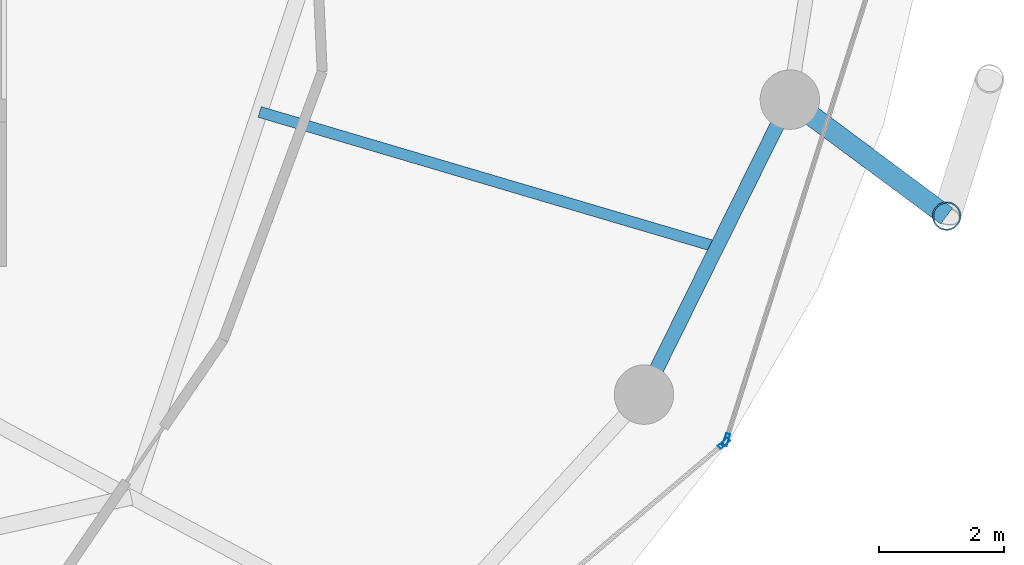
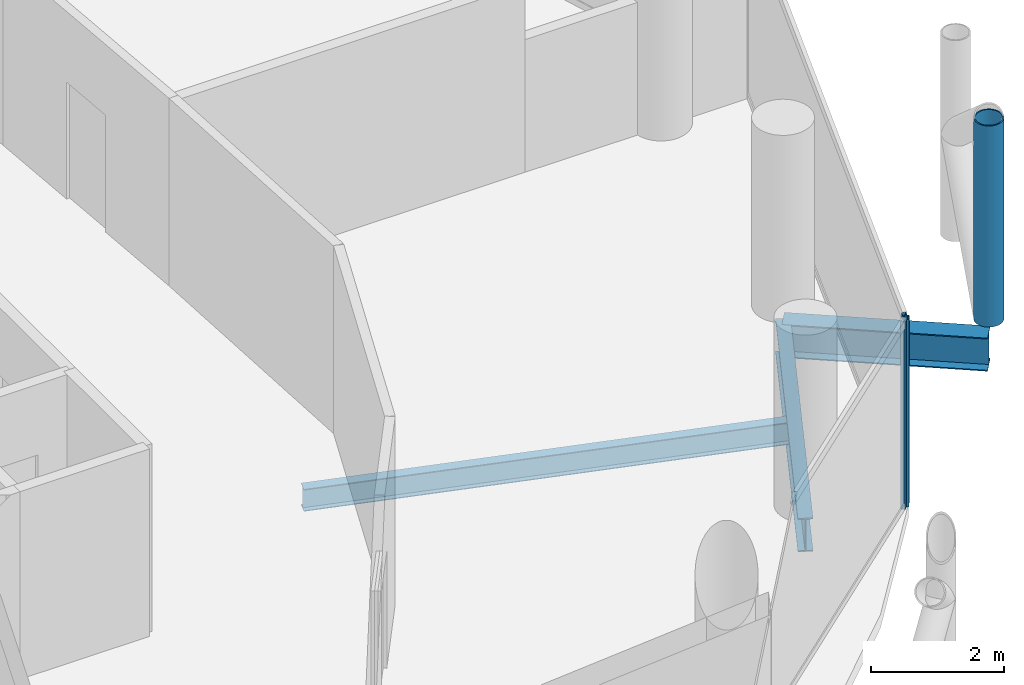
# One storey, part 10 of 26: 3 beams, 3 members, 2 elements without a shape of their own.
"""IFC4 building model written with IfcOpenShell, lengths in metres."""

from ifc_helpers import new_model, si_unit, direction, frame, origin, origin_2d, place, context, subcontext, project, spatial, hollow_rectangle, hollow_circle, i_section, extrude, material, layer, layer_set, material_profile, profile_set, type_object, element, aggregate, save


model = new_model("IFC4")

# Units and contexts
model_context = context("Model", 3, precision=1e-05, world=origin(), true_north=direction((0.0, 1.0)))
body_context = subcontext(model_context, "Body", "Model", "MODEL_VIEW")
ifc_project = project(units=[si_unit("LENGTHUNIT", "METRE"), si_unit("AREAUNIT", "SQUARE_METRE"), si_unit("VOLUMEUNIT", "CUBIC_METRE"), si_unit("PLANEANGLEUNIT", "RADIAN"), si_unit("MASSUNIT", "GRAM", prefix="KILO")], contexts=[model_context])

# Site, building, storey
site_placement = place(None, origin())
site = spatial("IfcSite", under=ifc_project, at=site_placement, CompositionType="ELEMENT")
building_placement = place(site_placement, origin())
building = spatial("IfcBuilding", under=site, at=building_placement, Name="Nuhasar Tower", CompositionType="ELEMENT")
storey_placement = place(building_placement, frame((0.0, 0.0, 188.550048828125)))
storey = spatial("IfcBuildingStorey", under=building, at=storey_placement, Name="L46", CompositionType="ELEMENT", Elevation=188.550048828125)

# Beams
ifc_material_1 = material(Name="Steel S355", Category="steel")
ifc_material_profile_1 = material_profile(ifc_material_1, i_section(OverallWidth=0.177978515625, OverallDepth=0.406005859375, WebThickness=0.0078125, FlangeThickness=0.0126953125, at=origin_2d()), Name="W16X40")
ifc_profile_set_1 = profile_set([ifc_material_profile_1], Name="Steel S355")
beam_type_1 = type_object("IfcBeamType", Name="BM-JST-W16X40", PredefinedType="JOIST", material=ifc_profile_set_1)
beam_1_placement = place(storey_placement, frame((53.0791015625, 21.54296875, -0.453125), z_axis=(0.959000494697, -0.283404395116, 0.0), x_axis=(0.283404395116, 0.959000494697, 0.0)))
element("IfcBeam", 1, at=beam_1_placement, inside=storey, type_object=beam_type_1, Name="L46 Secondary Floor Joist 03", PredefinedType="JOIST", context=body_context, shape_type="SweptSolid", body=[
    extrude(i_section(OverallWidth=0.177978515625, OverallDepth=0.406005859375, WebThickness=0.0078125, FlangeThickness=0.0126953125, at=origin_2d()), origin(), (0.0, 0.0, 1.0), 7.621337890625),
])
ifc_material_profile_2 = material_profile(ifc_material_1, i_section(OverallWidth=0.22998046875, OverallDepth=0.616943359375, WebThickness=0.01318359375, FlangeThickness=0.022216796875, at=origin_2d()), Name="W24X94")
ifc_profile_set_2 = profile_set([ifc_material_profile_2], Name="Steel S355")
beam_type_2 = type_object("IfcBeamType", Name="BM-RING-W24X94", PredefinedType="SPANDREL", material=ifc_profile_set_2)
beam_2_placement = place(storey_placement, frame((59.221923828125, 17.02490234375, -0.55810546875), z_axis=(0.443329327657, 0.896358804966, 0.0), x_axis=(-0.896358804966, 0.443329327657, 0.0)))
element("IfcBeam", 2, at=beam_2_placement, inside=storey, type_object=beam_type_2, Name="L46 Perimeter Ring Spandrel 23", PredefinedType="SPANDREL", context=body_context, shape_type="SweptSolid", body=[
    extrude(i_section(OverallWidth=0.22998046875, OverallDepth=0.616943359375, WebThickness=0.01318359375, FlangeThickness=0.022216796875, at=origin_2d()), origin(), (0.0, 0.0, 1.0), 5.26025390625),
])
ifc_material_profile_3 = material_profile(ifc_material_1, i_section(OverallWidth=0.323974609375, OverallDepth=0.611083984375, WebThickness=0.0126953125, FlangeThickness=0.01904296875, at=origin_2d()), Name="W24X104")
ifc_profile_set_3 = profile_set([ifc_material_profile_3], Name="Steel S355")
beam_type_3 = type_object("IfcBeamType", Name="BM-TIE-W24X104", PredefinedType="BEAM", material=ifc_profile_set_3)
beam_3_placement = place(storey_placement, frame((61.553955078125, 21.739990234375, -0.554931640625), z_axis=(0.80283476238, -0.596201597041, 0.0), x_axis=(0.596201597041, 0.80283476238, 0.0)))
element("IfcBeam", 3, at=beam_3_placement, inside=storey, type_object=beam_type_3, Name="L46 Exoskeleton Node Tie Beam 12", PredefinedType="BEAM", context=body_context, shape_type="SweptSolid", body=[
    extrude(i_section(OverallWidth=0.323974609375, OverallDepth=0.611083984375, WebThickness=0.0126953125, FlangeThickness=0.01904296875, at=origin_2d()), origin(), (0.0, 0.0, 1.0), 3.12158203125),
])

# Curtain wall, member
ifc_material_2 = material(Name="Aluminium 6063-T6", Category="aluminium")
ifc_layer = layer(ifc_material_2, 0.199951171875)
ifc_layer_set = layer_set([ifc_layer], Name="Aluminium 6063-T6")
curtain_wall_type = type_object("IfcCurtainWallType", Name="CW-Z2-HTL", PredefinedType="NOTDEFINED", material=ifc_layer_set)
curtain_wall_1_placement = place(storey_placement, origin())
curtain_wall_1 = element("IfcCurtainWall", 4, at=curtain_wall_1_placement, inside=storey, type_object=curtain_wall_type, Name="L46 Unitised Curtain Wall 11", PredefinedType="NOTDEFINED")
ifc_material_profile_4 = material_profile(ifc_material_2, hollow_rectangle(XDim=0.070068359375, YDim=0.199951171875, WallThickness=0.0048828125, at=origin_2d()), Name="CWM-3")
ifc_profile_set_4 = profile_set([ifc_material_profile_4], Name="Aluminium 6063-T6")
member_type_1 = type_object("IfcMemberType", Name="CW-MUL-S3", PredefinedType="MULLION", material=ifc_profile_set_4)
member_1_placement = place(storey_placement, frame((60.502197265625, 16.247314453125, 0.0), z_axis=(0.0, 0.0, 1.0), x_axis=(-0.646374438324, 0.763020370292, 0.0)))
member_1 = element("IfcMember", 5, at=member_1_placement, type_object=member_type_1, Name="CW-Z2 mullion 2", PredefinedType="MULLION", context=body_context, shape_type="SweptSolid", body=[
    extrude(hollow_rectangle(XDim=0.070068359375, YDim=0.199951171875, WallThickness=0.0048828125, at=origin_2d()), origin(), (0.0, 0.0, 1.0), 3.449951171875),
])
aggregate(curtain_wall_1, [member_1])

curtain_wall_2_placement = place(storey_placement, origin())
curtain_wall_2 = element("IfcCurtainWall", 6, at=curtain_wall_2_placement, inside=storey, type_object=curtain_wall_type, Name="L46 Unitised Curtain Wall 12", PredefinedType="NOTDEFINED")
member_2_placement = place(storey_placement, frame((60.53955078125, 16.303466796875, 0.0), z_axis=(0.0, 0.0, 1.0), x_axis=(-0.953433389233, 0.301603667577, 0.0)))
member_2 = element("IfcMember", 7, at=member_2_placement, type_object=member_type_1, Name="CW-Z2 mullion 1", PredefinedType="MULLION", context=body_context, shape_type="SweptSolid", body=[
    extrude(hollow_rectangle(XDim=0.070068359375, YDim=0.199951171875, WallThickness=0.0048828125, at=origin_2d()), origin(), (0.0, 0.0, 1.0), 3.449951171875),
])
aggregate(curtain_wall_2, [member_2])

# Member
ifc_material_3 = material(Name="Steel S460", Category="steel")
ifc_material_profile_5 = material_profile(ifc_material_3, hollow_circle(Radius=0.228515625, WallThickness=0.022216796875, at=origin_2d()), Name="HSS457X22.2")
ifc_profile_set_5 = profile_set([ifc_material_profile_5], Name="Steel S460")
member_type_2 = type_object("IfcMemberType", Name="EXO-BRONZE-457", PredefinedType="BRACE", material=ifc_profile_set_5)
member_3_placement = place(storey_placement, frame((64.06005859375, 19.87890625, 0.0), z_axis=(0.0, 0.0, 1.0), x_axis=(1.0, 0.0, 0.0)))
element("IfcMember", 8, at=member_3_placement, inside=storey, type_object=member_type_2, Name="L46 Exoskeleton Chord Column EC-12A", PredefinedType="BRACE", context=body_context, shape_type="SweptSolid", body=[
    extrude(hollow_circle(Radius=0.228515625, WallThickness=0.022216796875, at=origin_2d()), origin(), (0.0, 0.0, 1.0), 3.699951171875),
])

save(model, "model.ifc")
